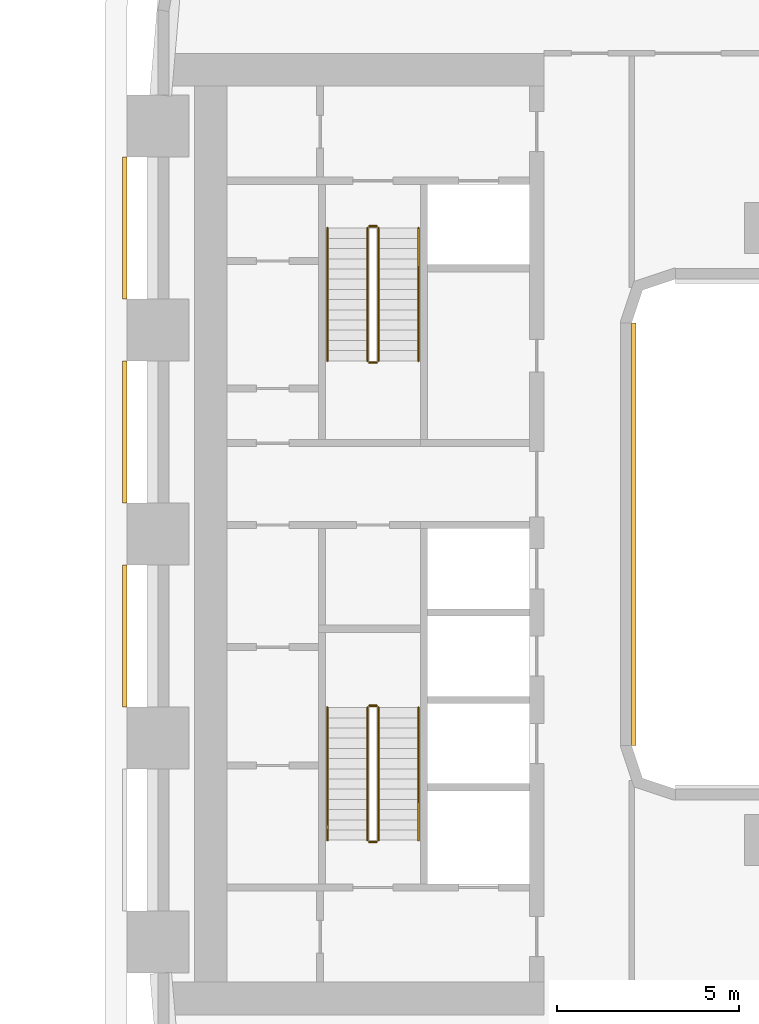
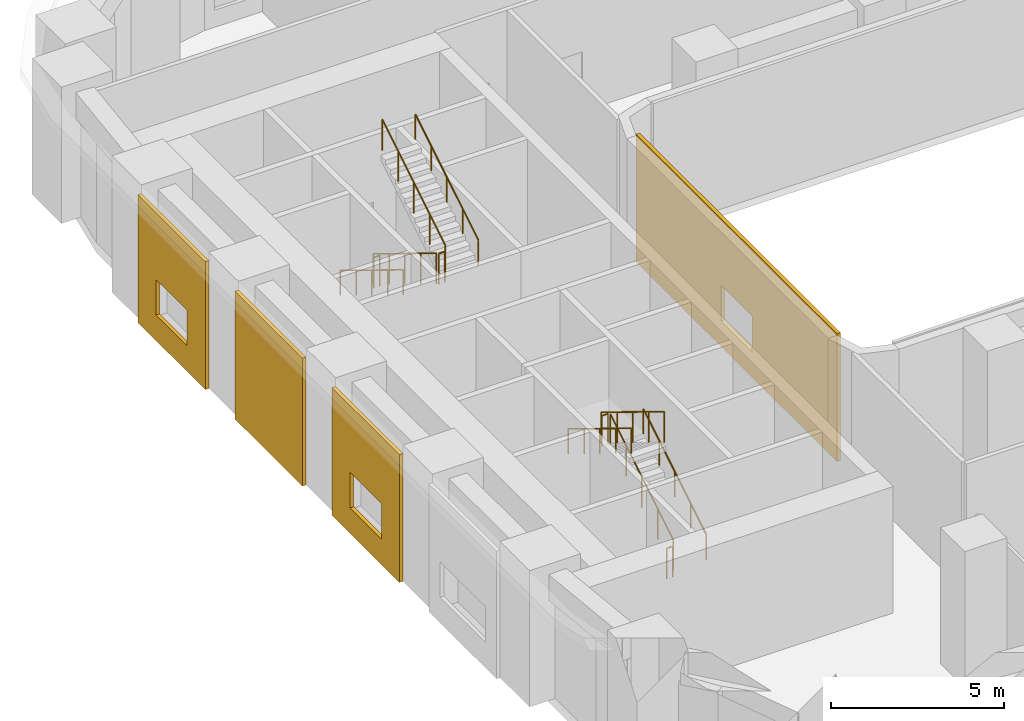
# One storey, part 10 of 13: 12 railings, 4 coverings.
"""IFC4 building model written with IfcOpenShell, lengths in metres."""

import ifcopenshell
import ifcopenshell.guid

model = None  # the IFC model being written
_history = None  # IfcOwnerHistory: only IFC2X3 demands one
_inside = {}  # id of a spatial element -> (the spatial element, [elements in it])
_under = {}  # id of a project, library or spatial element -> (it, [spatial elements below it])
_declared = {}  # id of a project -> (the project, [libraries it declares])
_typed = {}  # id of a type object -> (the type object, [elements of that type])
_made_of = {}  # id of a material, layer set ... -> (it, [elements and type objects made of it])


def new_model(schema):
    """Start an empty IFC model of exactly this schema.

    Asked for "IFC4X3", IfcOpenShell would pick the latest addendum, in which some entities
    have other attributes; the version numbers below select the first issue.
    IFC2X3 requires an IfcOwnerHistory on every rooted entity: one is made here for all.
    """
    global model, _history
    if schema == "IFC4X3":
        model = ifcopenshell.file(schema_version=(4, 3, 0, 0))
    else:
        model = ifcopenshell.file(schema=schema)
    _inside.clear()
    _under.clear()
    _declared.clear()
    _typed.clear()
    _made_of.clear()
    _history = None
    if model.schema == "IFC2X3":
        org = make("IfcOrganization", Name="unknown")
        user = make(
            "IfcPersonAndOrganization",
            ThePerson=make("IfcPerson", FamilyName="unknown"),
            TheOrganization=org,
        )
        app = make(
            "IfcApplication",
            ApplicationDeveloper=org,
            Version="unknown",
            ApplicationFullName="unknown",
            ApplicationIdentifier="unknown",
        )
        _history = make(
            "IfcOwnerHistory",
            OwningUser=user,
            OwningApplication=app,
            ChangeAction="ADDED",
            CreationDate=0,
        )
    return model


def make(cls, **values):
    """One entity of the class cls with the attributes given. An attribute that is None is left unset."""
    return model.create_entity(
        cls, **{name: value for name, value in values.items() if value is not None}
    )


def rooted(cls, **values):
    """An entity with a GlobalId (a new one), such as an element, a storey or a relation."""
    return make(cls, GlobalId=ifcopenshell.guid.new(), OwnerHistory=_history, **values)


def si_unit(unit_type, name, prefix=None):
    """IfcSIUnit, for example si_unit("LENGTHUNIT", "METRE", prefix="MILLI")."""
    return make("IfcSIUnit", UnitType=unit_type, Prefix=prefix, Name=name)


def assignment(units):
    """IfcUnitAssignment: the units of a project."""
    return None if units is None else make("IfcUnitAssignment", Units=units)


def point(xyz):
    """IfcCartesianPoint."""
    return None if xyz is None else make("IfcCartesianPoint", Coordinates=xyz)


def direction(xyz):
    """IfcDirection."""
    return None if xyz is None else make("IfcDirection", DirectionRatios=xyz)


def frame(location, z_axis=None, x_axis=None):
    """IfcAxis2Placement3D, a coordinate frame: its origin and axes. An axis left out is left unset."""
    return make(
        "IfcAxis2Placement3D",
        Location=point(location),
        Axis=direction(z_axis),
        RefDirection=direction(x_axis),
    )


def frame_2d(location, x_axis=None):
    """IfcAxis2Placement2D, a coordinate frame in the plane: its origin and x axis."""
    return make(
        "IfcAxis2Placement2D", Location=point(location), RefDirection=direction(x_axis)
    )


def origin():
    """The frame at (0, 0, 0) with its axes left unset."""
    return frame((0.0, 0.0, 0.0))


def origin_2d():
    """The frame at (0, 0) in the plane with its x axis left unset."""
    return frame_2d((0.0, 0.0))


def place(relative_to, where):
    """IfcLocalPlacement: puts the frame where relative to a parent placement (None: the world)."""
    return make(
        "IfcLocalPlacement", PlacementRelTo=relative_to, RelativePlacement=where
    )


def context(
    kind, dimensions, precision=None, world=None, true_north=None, identifier=None
):
    """IfcGeometricRepresentationContext, for example the 3D "Model" context."""
    return make(
        "IfcGeometricRepresentationContext",
        ContextIdentifier=identifier,
        ContextType=kind,
        CoordinateSpaceDimension=dimensions,
        Precision=precision,
        WorldCoordinateSystem=world,
        TrueNorth=true_north,
    )


def subcontext(parent, identifier, kind, view, scale=None):
    """IfcGeometricRepresentationSubContext, for example "Body" below "Model"."""
    return make(
        "IfcGeometricRepresentationSubContext",
        ContextIdentifier=identifier,
        ContextType=kind,
        ParentContext=parent,
        TargetScale=scale,
        TargetView=view,
    )


def project(units=None, contexts=None):
    """IfcProject with its units and contexts."""
    return rooted(
        "IfcProject",
        Name="project",
        RepresentationContexts=contexts,
        UnitsInContext=assignment(units),
    )


def spatial(cls, under=None, at=None, **own):
    """A site, building, storey or space (cls), placed at a placement, below another one or the project."""
    s = rooted(cls, ObjectPlacement=at, **own)
    if under is not None:
        _under.setdefault(under.id(), (under, []))[1].append(s)
    return s


def polyline(points):
    """IfcPolyline through the points."""
    return make("IfcPolyline", Points=[point(p) for p in points])


def profile(cls, at=None, kind="AREA", **sizes):
    """A parametric profile (cls). Its sizes go by their IFC names, for example OverallWidth=200.0."""
    return make(cls, ProfileType=kind, Position=at, **sizes)


def circle(**sizes):
    """IfcCircleProfileDef."""
    return profile("IfcCircleProfileDef", **sizes)


def outline(outer, holes=None, kind="AREA"):
    """IfcArbitraryClosedProfileDef: a profile drawn as a closed curve; with holes, ...WithVoids."""
    if holes is None:
        return make("IfcArbitraryClosedProfileDef", ProfileType=kind, OuterCurve=outer)
    return make(
        "IfcArbitraryProfileDefWithVoids",
        ProfileType=kind,
        OuterCurve=outer,
        InnerCurves=holes,
    )


def extrude(swept, where, along, depth):
    """IfcExtrudedAreaSolid: the profile swept, set in the frame where, extruded along a direction by depth."""
    return make(
        "IfcExtrudedAreaSolid",
        SweptArea=swept,
        Position=where,
        ExtrudedDirection=direction(along),
        Depth=depth,
    )


def shape(context_of_items, identifier, shape_type, items):
    """IfcShapeRepresentation: the items that make up one representation, for example the "Body"."""
    return make(
        "IfcShapeRepresentation",
        ContextOfItems=context_of_items,
        RepresentationIdentifier=identifier,
        RepresentationType=shape_type,
        Items=items,
    )


def material(Name=None, Category=None):
    """IfcMaterial."""
    return make("IfcMaterial", Name=Name, Category=Category)


def layer(
    of_material, thickness, ventilated=None, Name=None, Category=None, Priority=None
):
    """IfcMaterialLayer: one layer of a wall or slab, of a material (None: an air gap)."""
    return make(
        "IfcMaterialLayer",
        Material=of_material,
        LayerThickness=thickness,
        IsVentilated=ventilated,
        Name=Name,
        Category=Category,
        Priority=Priority,
    )


def layer_set(layers, Name=None):
    """IfcMaterialLayerSet."""
    return make("IfcMaterialLayerSet", MaterialLayers=layers, LayerSetName=Name)


def made_of(thing, what):
    """Note that an element or type object is made of a material, layer set ...; save() writes the relation."""
    if what is not None:
        _made_of.setdefault(what.id(), (what, []))[1].append(thing)
    return thing


def type_object(cls, material=None, **own):
    """A type object (cls), such as IfcWallType, which elements share."""
    return made_of(rooted(cls, **own), material)


def element(
    cls,
    number,
    at=None,
    inside=None,
    cuts=None,
    type_object=None,
    material=None,
    context=None,
    identifier="Body",
    shape_type=None,
    held_by="IfcProductDefinitionShape",
    body=None,
    shapes=None,
    **own,
):
    """One element of the class cls, such as IfcWall. Its Tag is "e" and its number.

    at: its placement. inside: the storey or other place that contains it. cuts: it is an
    opening in that element (IfcRelVoidsElement). A single representation is given by context,
    identifier, shape_type and body (its items); several are given by shapes. held_by: the class
    of the entity that holds the representations. save() writes the other relations.
    """
    e = rooted(cls, Tag="e%d" % number, ObjectPlacement=at, **own)
    if body is not None:
        shapes = [shape(context, identifier, shape_type, body)]
    if shapes is not None:
        e.Representation = make(held_by, Representations=shapes)
    if inside is not None:
        _inside.setdefault(inside.id(), (inside, []))[1].append(e)
    if cuts is not None:
        rooted(
            "IfcRelVoidsElement", RelatingBuildingElement=cuts, RelatedOpeningElement=e
        )
    if type_object is not None:
        _typed.setdefault(type_object.id(), (type_object, []))[1].append(e)
    return made_of(e, material)


def aggregate(whole, parts):
    """IfcRelAggregates: a whole, such as a stair, and the parts it consists of."""
    return rooted("IfcRelAggregates", RelatingObject=whole, RelatedObjects=parts)


def save(model, path):
    """Write the relations noted so far, then the file.

    IfcRelAggregates (storeys below a building ...), IfcRelContainedInSpatialStructure (elements
    in a storey), IfcRelDefinesByType, IfcRelAssociatesMaterial and IfcRelDeclares: one each for
    every whole, place, type object, material and project.
    """
    for whole, parts in _under.values():
        aggregate(whole, parts)
    for where, things in _inside.values():
        rooted(
            "IfcRelContainedInSpatialStructure",
            RelatedElements=things,
            RelatingStructure=where,
        )
    for kind, things in _typed.values():
        rooted("IfcRelDefinesByType", RelatedObjects=things, RelatingType=kind)
    for what, things in _made_of.values():
        rooted("IfcRelAssociatesMaterial", RelatedObjects=things, RelatingMaterial=what)
    for by, libraries in _declared.values():
        rooted("IfcRelDeclares", RelatingContext=by, RelatedDefinitions=libraries)
    model.write(path)


model = new_model("IFC4")

# Units and contexts
model_context = context("Model", 3, precision=1e-05, world=origin(), true_north=direction((0.0, 1.0)))
body_context = subcontext(model_context, "Body", "Model", "MODEL_VIEW")
ifc_project = project(units=[si_unit("LENGTHUNIT", "METRE"), si_unit("AREAUNIT", "SQUARE_METRE"), si_unit("VOLUMEUNIT", "CUBIC_METRE"), si_unit("PLANEANGLEUNIT", "RADIAN"), si_unit("MASSUNIT", "GRAM", prefix="KILO")], contexts=[model_context])

# Site, building, storey
site_placement = place(None, origin())
site = spatial("IfcSite", under=ifc_project, at=site_placement, CompositionType="ELEMENT")
building_placement = place(site_placement, origin())
building = spatial("IfcBuilding", under=site, at=building_placement, Name="Kiln Ring Residences", CompositionType="ELEMENT")
storey_placement = place(building_placement, frame((0.0, 0.0, 25.699951171875)))
storey = spatial("IfcBuildingStorey", under=building, at=storey_placement, Name="L05", CompositionType="ELEMENT", Elevation=25.699951171875)

# Railings
ifc_material_1 = material(Name="Stainless steel", Category="steel")
railing_type_1 = type_object("IfcRailingType", Name="CORE-STAIR-GUARD", PredefinedType="GUARDRAIL", material=ifc_material_1)
railing_1_placement = place(storey_placement, frame((-22.25, 8.39990234375, 0.17138671875)))
element("IfcRailing", 1, at=railing_1_placement, inside=storey, type_object=railing_type_1, Name="L05 W-STN stair guard 1", PredefinedType="GUARDRAIL", context=body_context, shape_type="SweptSolid", body=[
    extrude(circle(Radius=0.02392578125, at=origin_2d()), frame((0.0, 0.0, 1.076171875), z_axis=(0.0, -0.852824790078, 0.522197163366), x_axis=(1.0, 0.0, 0.0)), (0.0, 0.0, 1.0), 4.26806640625),
    extrude(circle(Radius=0.02099609375, at=origin_2d()), origin(), (0.0, 0.0, 1.0), 1.052001953125),
    extrude(circle(Radius=0.02099609375, at=origin_2d()), frame((0.0, -0.909912109375, 0.55712890625)), (0.0, 0.0, 1.0), 1.052001953125),
    extrude(circle(Radius=0.02099609375, at=origin_2d()), frame((0.0, -1.81982421875, 1.1142578125)), (0.0, 0.0, 1.0), 1.052001953125),
    extrude(circle(Radius=0.02099609375, at=origin_2d()), frame((0.0, -2.72998046875, 1.671630859375)), (0.0, 0.0, 1.0), 1.052001953125),
    extrude(circle(Radius=0.02099609375, at=origin_2d()), frame((0.0, -3.639892578125, 2.228759765625)), (0.0, 0.0, 1.0), 1.052001953125),
])
railing_2_placement = place(storey_placement, frame((-22.199951171875, 4.7099609375, 2.400146484375)))
element("IfcRailing", 2, at=railing_2_placement, inside=storey, type_object=railing_type_1, Name="L05 W-STN stair guard 2", PredefinedType="GUARDRAIL", context=body_context, shape_type="SweptSolid", body=[
    extrude(circle(Radius=0.02392578125, at=origin_2d()), frame((0.0, 0.0, 1.076171875), z_axis=(1.0, 0.0, 0.0), x_axis=(0.0, 1.0, 0.0)), (0.0, 0.0, 1.0), 0.199951171875),
    extrude(circle(Radius=0.02099609375, at=origin_2d()), origin(), (0.0, 0.0, 1.0), 1.052001953125),
    extrude(circle(Radius=0.02099609375, at=origin_2d()), frame((0.199951171875, 0.0, 0.0)), (0.0, 0.0, 1.0), 1.052001953125),
])
railing_3_placement = place(storey_placement, frame((-21.949951171875, 4.760009765625, 2.571533203125)))
element("IfcRailing", 3, at=railing_3_placement, inside=storey, type_object=railing_type_1, Name="L05 W-STN stair guard 3", PredefinedType="GUARDRAIL", context=body_context, shape_type="SweptSolid", body=[
    extrude(circle(Radius=0.02392578125, at=origin_2d()), frame((0.0, 0.0, 1.076171875), z_axis=(0.0, 0.852850264322, 0.5221555579), x_axis=(-1.0, 0.0, 0.0)), (0.0, 0.0, 1.0), 4.267822265625),
    extrude(circle(Radius=0.02099609375, at=origin_2d()), origin(), (0.0, 0.0, 1.0), 1.052001953125),
    extrude(circle(Radius=0.02099609375, at=origin_2d()), frame((0.0, 0.909912109375, 0.55712890625)), (0.0, 0.0, 1.0), 1.052001953125),
    extrude(circle(Radius=0.02099609375, at=origin_2d()), frame((0.0, 1.81982421875, 1.1142578125)), (0.0, 0.0, 1.0), 1.052001953125),
    extrude(circle(Radius=0.02099609375, at=origin_2d()), frame((0.0, 2.72998046875, 1.67138671875)), (0.0, 0.0, 1.0), 1.052001953125),
    extrude(circle(Radius=0.02099609375, at=origin_2d()), frame((0.0, 3.639892578125, 2.228515625)), (0.0, 0.0, 1.0), 1.052001953125),
])
railing_4_placement = place(storey_placement, frame((-22.199951171875, 8.449951171875, 0.0)))
element("IfcRailing", 4, at=railing_4_placement, inside=storey, type_object=railing_type_1, Name="L05 W-STN stair guard 4", PredefinedType="GUARDRAIL", context=body_context, shape_type="SweptSolid", body=[
    extrude(circle(Radius=0.02392578125, at=origin_2d()), frame((0.0, 0.0, 1.076171875), z_axis=(1.0, 0.0, 0.0), x_axis=(0.0, 1.0, 0.0)), (0.0, 0.0, 1.0), 0.199951171875),
    extrude(circle(Radius=0.02099609375, at=origin_2d()), origin(), (0.0, 0.0, 1.0), 1.052001953125),
    extrude(circle(Radius=0.02099609375, at=origin_2d()), frame((0.199951171875, 0.0, 0.0)), (0.0, 0.0, 1.0), 1.052001953125),
])
railing_5_placement = place(storey_placement, frame((-21.949951171875, -8.39990234375, 0.17138671875)))
element("IfcRailing", 5, at=railing_5_placement, inside=storey, type_object=railing_type_1, Name="L05 W-STS stair guard 1", PredefinedType="GUARDRAIL", context=body_context, shape_type="SweptSolid", body=[
    extrude(circle(Radius=0.02392578125, at=origin_2d()), frame((0.0, 0.0, 1.076171875), z_axis=(0.0, 0.852824790078, 0.522197163366), x_axis=(-1.0, 0.0, 0.0)), (0.0, 0.0, 1.0), 4.26806640625),
    extrude(circle(Radius=0.02099609375, at=origin_2d()), origin(), (0.0, 0.0, 1.0), 1.052001953125),
    extrude(circle(Radius=0.02099609375, at=origin_2d()), frame((0.0, 0.909912109375, 0.55712890625)), (0.0, 0.0, 1.0), 1.052001953125),
    extrude(circle(Radius=0.02099609375, at=origin_2d()), frame((0.0, 1.81982421875, 1.1142578125)), (0.0, 0.0, 1.0), 1.052001953125),
    extrude(circle(Radius=0.02099609375, at=origin_2d()), frame((0.0, 2.72998046875, 1.671630859375)), (0.0, 0.0, 1.0), 1.052001953125),
    extrude(circle(Radius=0.02099609375, at=origin_2d()), frame((0.0, 3.639892578125, 2.228759765625)), (0.0, 0.0, 1.0), 1.052001953125),
])
railing_6_placement = place(storey_placement, frame((-22.0, -4.7099609375, 2.400146484375)))
element("IfcRailing", 6, at=railing_6_placement, inside=storey, type_object=railing_type_1, Name="L05 W-STS stair guard 2", PredefinedType="GUARDRAIL", context=body_context, shape_type="SweptSolid", body=[
    extrude(circle(Radius=0.02392578125, at=origin_2d()), frame((0.0, 0.0, 1.076171875), z_axis=(-1.0, 0.0, 0.0), x_axis=(0.0, -1.0, 0.0)), (0.0, 0.0, 1.0), 0.199951171875),
    extrude(circle(Radius=0.02099609375, at=origin_2d()), origin(), (0.0, 0.0, 1.0), 1.052001953125),
    extrude(circle(Radius=0.02099609375, at=origin_2d()), frame((-0.199951171875, 0.0, 0.0)), (0.0, 0.0, 1.0), 1.052001953125),
])
railing_7_placement = place(storey_placement, frame((-22.25, -4.760009765625, 2.571533203125)))
element("IfcRailing", 7, at=railing_7_placement, inside=storey, type_object=railing_type_1, Name="L05 W-STS stair guard 3", PredefinedType="GUARDRAIL", context=body_context, shape_type="SweptSolid", body=[
    extrude(circle(Radius=0.02392578125, at=origin_2d()), frame((0.0, 0.0, 1.076171875), z_axis=(0.0, -0.852850264322, 0.5221555579), x_axis=(1.0, 0.0, 0.0)), (0.0, 0.0, 1.0), 4.267822265625),
    extrude(circle(Radius=0.02099609375, at=origin_2d()), origin(), (0.0, 0.0, 1.0), 1.052001953125),
    extrude(circle(Radius=0.02099609375, at=origin_2d()), frame((0.0, -0.909912109375, 0.55712890625)), (0.0, 0.0, 1.0), 1.052001953125),
    extrude(circle(Radius=0.02099609375, at=origin_2d()), frame((0.0, -1.81982421875, 1.1142578125)), (0.0, 0.0, 1.0), 1.052001953125),
    extrude(circle(Radius=0.02099609375, at=origin_2d()), frame((0.0, -2.72998046875, 1.67138671875)), (0.0, 0.0, 1.0), 1.052001953125),
    extrude(circle(Radius=0.02099609375, at=origin_2d()), frame((0.0, -3.639892578125, 2.228515625)), (0.0, 0.0, 1.0), 1.052001953125),
])
railing_8_placement = place(storey_placement, frame((-22.0, -8.449951171875, 0.0)))
element("IfcRailing", 8, at=railing_8_placement, inside=storey, type_object=railing_type_1, Name="L05 W-STS stair guard 4", PredefinedType="GUARDRAIL", context=body_context, shape_type="SweptSolid", body=[
    extrude(circle(Radius=0.02392578125, at=origin_2d()), frame((0.0, 0.0, 1.076171875), z_axis=(-1.0, 0.0, 0.0), x_axis=(0.0, -1.0, 0.0)), (0.0, 0.0, 1.0), 0.199951171875),
    extrude(circle(Radius=0.02099609375, at=origin_2d()), origin(), (0.0, 0.0, 1.0), 1.052001953125),
    extrude(circle(Radius=0.02099609375, at=origin_2d()), frame((-0.199951171875, 0.0, 0.0)), (0.0, 0.0, 1.0), 1.052001953125),
])
ifc_material_2 = material(Name="Stainless steel", Category="steel")
railing_type_2 = type_object("IfcRailingType", Name="CORE-STAIR-HANDRAIL", PredefinedType="HANDRAIL", material=ifc_material_2)
railing_9_placement = place(storey_placement, frame((-23.35009765625, 8.39990234375, 0.17138671875)))
element("IfcRailing", 9, at=railing_9_placement, inside=storey, type_object=railing_type_2, Name="L05 W-STN stair handrail 1", PredefinedType="HANDRAIL", context=body_context, shape_type="SweptSolid", body=[
    extrude(circle(Radius=0.02392578125, at=origin_2d()), frame((0.0, 0.0, 0.8759765625), z_axis=(0.0, -0.852824790078, 0.522197163366), x_axis=(1.0, 0.0, 0.0)), (0.0, 0.0, 1.0), 4.26806640625),
    extrude(circle(Radius=0.02099609375, at=origin_2d()), origin(), (0.0, 0.0, 1.0), 0.851806640625),
    extrude(circle(Radius=0.02099609375, at=origin_2d()), frame((0.0, -0.909912109375, 0.55712890625)), (0.0, 0.0, 1.0), 0.851806640625),
    extrude(circle(Radius=0.02099609375, at=origin_2d()), frame((0.0, -1.81982421875, 1.1142578125)), (0.0, 0.0, 1.0), 0.851806640625),
    extrude(circle(Radius=0.02099609375, at=origin_2d()), frame((0.0, -2.72998046875, 1.671630859375)), (0.0, 0.0, 1.0), 0.851806640625),
    extrude(circle(Radius=0.02099609375, at=origin_2d()), frame((0.0, -3.639892578125, 2.228759765625)), (0.0, 0.0, 1.0), 0.851806640625),
])
railing_10_placement = place(storey_placement, frame((-20.85009765625, 4.760009765625, 2.571533203125)))
element("IfcRailing", 10, at=railing_10_placement, inside=storey, type_object=railing_type_2, Name="L05 W-STN stair handrail 2", PredefinedType="HANDRAIL", context=body_context, shape_type="SweptSolid", body=[
    extrude(circle(Radius=0.02392578125, at=origin_2d()), frame((0.0, 0.0, 0.8759765625), z_axis=(0.0, 0.852850264322, 0.5221555579), x_axis=(-1.0, 0.0, 0.0)), (0.0, 0.0, 1.0), 4.267822265625),
    extrude(circle(Radius=0.02099609375, at=origin_2d()), origin(), (0.0, 0.0, 1.0), 0.851806640625),
    extrude(circle(Radius=0.02099609375, at=origin_2d()), frame((0.0, 0.909912109375, 0.55712890625)), (0.0, 0.0, 1.0), 0.851806640625),
    extrude(circle(Radius=0.02099609375, at=origin_2d()), frame((0.0, 1.81982421875, 1.1142578125)), (0.0, 0.0, 1.0), 0.851806640625),
    extrude(circle(Radius=0.02099609375, at=origin_2d()), frame((0.0, 2.72998046875, 1.67138671875)), (0.0, 0.0, 1.0), 0.851806640625),
    extrude(circle(Radius=0.02099609375, at=origin_2d()), frame((0.0, 3.639892578125, 2.228515625)), (0.0, 0.0, 1.0), 0.851806640625),
])
railing_11_placement = place(storey_placement, frame((-20.85009765625, -8.39990234375, 0.17138671875)))
element("IfcRailing", 11, at=railing_11_placement, inside=storey, type_object=railing_type_2, Name="L05 W-STS stair handrail 1", PredefinedType="HANDRAIL", context=body_context, shape_type="SweptSolid", body=[
    extrude(circle(Radius=0.02392578125, at=origin_2d()), frame((0.0, 0.0, 0.8759765625), z_axis=(0.0, 0.852824790078, 0.522197163366), x_axis=(-1.0, 0.0, 0.0)), (0.0, 0.0, 1.0), 4.26806640625),
    extrude(circle(Radius=0.02099609375, at=origin_2d()), origin(), (0.0, 0.0, 1.0), 0.851806640625),
    extrude(circle(Radius=0.02099609375, at=origin_2d()), frame((0.0, 0.909912109375, 0.55712890625)), (0.0, 0.0, 1.0), 0.851806640625),
    extrude(circle(Radius=0.02099609375, at=origin_2d()), frame((0.0, 1.81982421875, 1.1142578125)), (0.0, 0.0, 1.0), 0.851806640625),
    extrude(circle(Radius=0.02099609375, at=origin_2d()), frame((0.0, 2.72998046875, 1.671630859375)), (0.0, 0.0, 1.0), 0.851806640625),
    extrude(circle(Radius=0.02099609375, at=origin_2d()), frame((0.0, 3.639892578125, 2.228759765625)), (0.0, 0.0, 1.0), 0.851806640625),
])
railing_12_placement = place(storey_placement, frame((-23.35009765625, -4.760009765625, 2.571533203125)))
element("IfcRailing", 12, at=railing_12_placement, inside=storey, type_object=railing_type_2, Name="L05 W-STS stair handrail 2", PredefinedType="HANDRAIL", context=body_context, shape_type="SweptSolid", body=[
    extrude(circle(Radius=0.02392578125, at=origin_2d()), frame((0.0, 0.0, 0.8759765625), z_axis=(0.0, -0.852850264322, 0.5221555579), x_axis=(1.0, 0.0, 0.0)), (0.0, 0.0, 1.0), 4.267822265625),
    extrude(circle(Radius=0.02099609375, at=origin_2d()), origin(), (0.0, 0.0, 1.0), 0.851806640625),
    extrude(circle(Radius=0.02099609375, at=origin_2d()), frame((0.0, -0.909912109375, 0.55712890625)), (0.0, 0.0, 1.0), 0.851806640625),
    extrude(circle(Radius=0.02099609375, at=origin_2d()), frame((0.0, -1.81982421875, 1.1142578125)), (0.0, 0.0, 1.0), 0.851806640625),
    extrude(circle(Radius=0.02099609375, at=origin_2d()), frame((0.0, -2.72998046875, 1.67138671875)), (0.0, 0.0, 1.0), 0.851806640625),
    extrude(circle(Radius=0.02099609375, at=origin_2d()), frame((0.0, -3.639892578125, 2.228515625)), (0.0, 0.0, 1.0), 0.851806640625),
])

# Coverings
ifc_material_3 = material(Name="Brick masonry, dark clay brick", Category="masonry")
ifc_layer = layer(ifc_material_3, 0.1201171875)
ifc_layer_set = layer_set([ifc_layer], Name="RAINSCREEN PANEL 120")
covering_type = type_object("IfcCoveringType", Name="RAINSCREEN PANEL 120", PredefinedType="CLADDING", material=ifc_layer_set)
covering_1_placement = place(storey_placement, frame((-28.909912109375, 10.35009765625, 0.0), z_axis=(0.0, 0.0, 1.0), x_axis=(0.0, -1.0, 0.0)))
element("IfcCovering", 13, at=covering_1_placement, inside=storey, type_object=covering_type, Name="RAINSCREEN L05", PredefinedType="CLADDING", context=body_context, shape_type="SweptSolid", body=[
    extrude(outline(polyline([(0.0, 0.0), (3.89990234375, 0.0), (3.89990234375, 4.5), (0.0, 4.5), (0.0, 0.0)]), holes=[polyline([(1.050048828125, 2.150146484375), (1.050048828125, 0.900146484375), (2.85009765625, 0.900146484375), (2.85009765625, 2.150146484375), (1.050048828125, 2.150146484375)])]), frame((0.0, 0.06005859375, 0.0), z_axis=(0.0, -1.0, 0.0), x_axis=(1.0, 0.0, 0.0)), (0.0, 0.0, 1.0), 0.1201171875),
])
covering_2_placement = place(storey_placement, frame((-28.909912109375, 4.75, 0.0), z_axis=(0.0, 0.0, 1.0), x_axis=(0.0, -1.0, 0.0)))
element("IfcCovering", 14, at=covering_2_placement, inside=storey, type_object=covering_type, Name="RAINSCREEN L05", PredefinedType="CLADDING", context=body_context, shape_type="SweptSolid", body=[
    extrude(outline(polyline([(0.0, 0.0), (3.89990234375, 0.0), (3.89990234375, 4.5), (0.0, 4.5), (0.0, 0.0)])), frame((0.0, 0.06005859375, 0.0), z_axis=(0.0, -1.0, 0.0), x_axis=(1.0, 0.0, 0.0)), (0.0, 0.0, 1.0), 0.1201171875),
])
covering_3_placement = place(storey_placement, frame((-28.909912109375, -0.85009765625, 0.0), z_axis=(0.0, 0.0, 1.0), x_axis=(0.0, -1.0, 0.0)))
element("IfcCovering", 15, at=covering_3_placement, inside=storey, type_object=covering_type, Name="RAINSCREEN L05", PredefinedType="CLADDING", context=body_context, shape_type="SweptSolid", body=[
    extrude(outline(polyline([(0.0, 0.0), (3.89990234375, 0.0), (3.89990234375, 4.5), (0.0, 4.5), (0.0, 0.0)]), holes=[polyline([(1.050048828125, 2.150146484375), (1.050048828125, 0.900146484375), (2.85009765625, 0.900146484375), (2.85009765625, 2.150146484375), (1.050048828125, 2.150146484375)])]), frame((0.0, 0.06005859375, 0.0), z_axis=(0.0, -1.0, 0.0), x_axis=(1.0, 0.0, 0.0)), (0.0, 0.0, 1.0), 0.1201171875),
])
covering_4_placement = place(storey_placement, frame((-14.93994140625, -5.800048828125, 0.0), z_axis=(0.0, 0.0, 1.0), x_axis=(0.0, 1.0, 0.0)))
element("IfcCovering", 16, at=covering_4_placement, inside=storey, type_object=covering_type, Name="RAINSCREEN L05", PredefinedType="CLADDING", context=body_context, shape_type="SweptSolid", body=[
    extrude(outline(polyline([(0.0, 0.0), (11.60009765625, 0.0), (11.60009765625, 4.5), (0.0, 4.5), (0.0, 0.0)]), holes=[polyline([(4.89990234375, 2.150146484375), (4.89990234375, 0.900146484375), (6.699951171875, 0.900146484375), (6.699951171875, 2.150146484375), (4.89990234375, 2.150146484375)])]), frame((0.0, 0.06005859375, 0.0), z_axis=(0.0, -1.0, 0.0), x_axis=(1.0, 0.0, 0.0)), (0.0, 0.0, 1.0), 0.1201171875),
])

save(model, "model.ifc")
